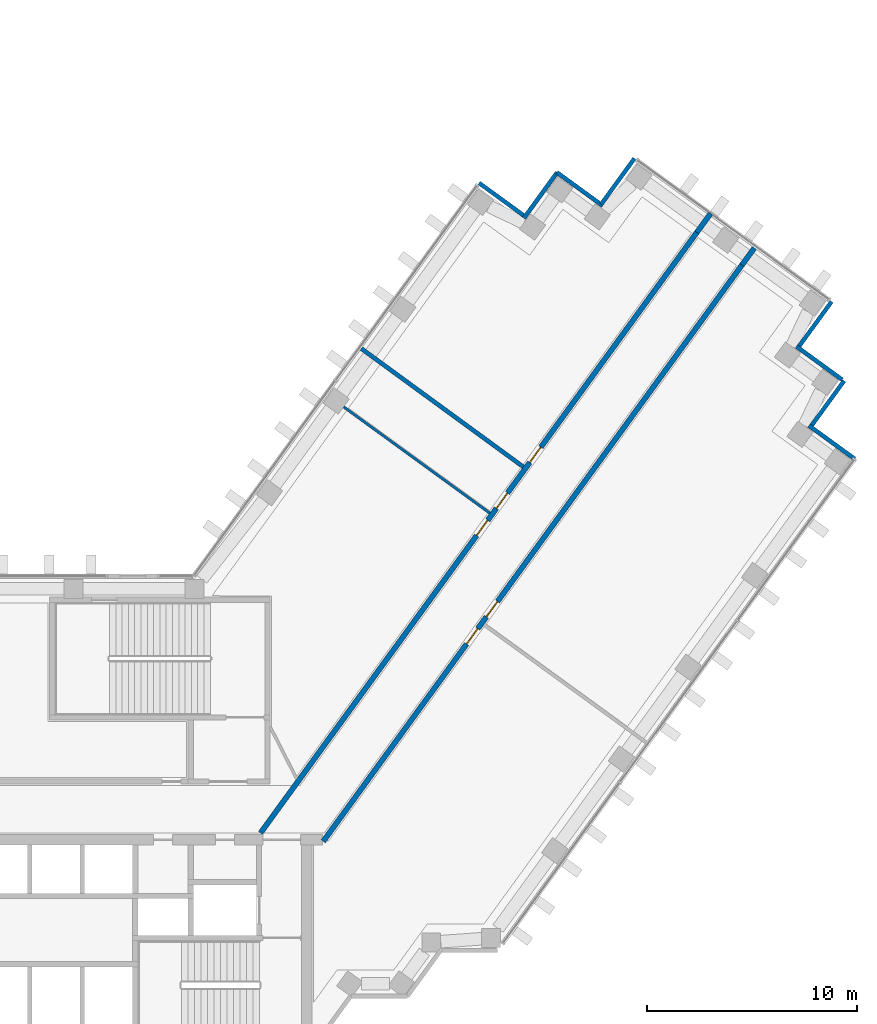
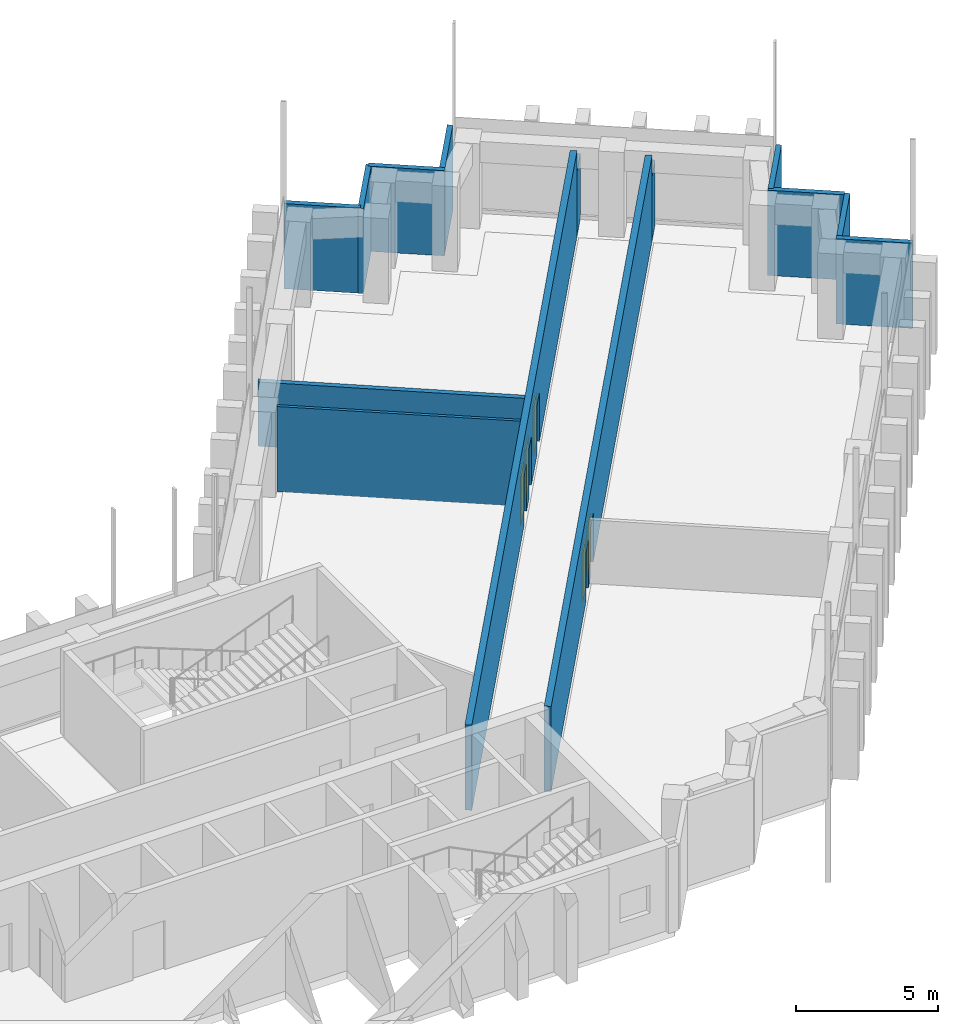
# One storey, part 13 of 16: 14 walls, 5 doors, 5 openings.
"""IFC4 building model written with IfcOpenShell, lengths in metres."""

import ifcopenshell
import ifcopenshell.guid

model = None  # the IFC model being written
_history = None  # IfcOwnerHistory: only IFC2X3 demands one
_inside = {}  # id of a spatial element -> (the spatial element, [elements in it])
_under = {}  # id of a project, library or spatial element -> (it, [spatial elements below it])
_declared = {}  # id of a project -> (the project, [libraries it declares])
_typed = {}  # id of a type object -> (the type object, [elements of that type])
_made_of = {}  # id of a material, layer set ... -> (it, [elements and type objects made of it])


def new_model(schema):
    """Start an empty IFC model of exactly this schema.

    Asked for "IFC4X3", IfcOpenShell would pick the latest addendum, in which some entities
    have other attributes; the version numbers below select the first issue.
    IFC2X3 requires an IfcOwnerHistory on every rooted entity: one is made here for all.
    """
    global model, _history
    if schema == "IFC4X3":
        model = ifcopenshell.file(schema_version=(4, 3, 0, 0))
    else:
        model = ifcopenshell.file(schema=schema)
    _inside.clear()
    _under.clear()
    _declared.clear()
    _typed.clear()
    _made_of.clear()
    _history = None
    if model.schema == "IFC2X3":
        org = make("IfcOrganization", Name="unknown")
        user = make(
            "IfcPersonAndOrganization",
            ThePerson=make("IfcPerson", FamilyName="unknown"),
            TheOrganization=org,
        )
        app = make(
            "IfcApplication",
            ApplicationDeveloper=org,
            Version="unknown",
            ApplicationFullName="unknown",
            ApplicationIdentifier="unknown",
        )
        _history = make(
            "IfcOwnerHistory",
            OwningUser=user,
            OwningApplication=app,
            ChangeAction="ADDED",
            CreationDate=0,
        )
    return model


def make(cls, **values):
    """One entity of the class cls with the attributes given. An attribute that is None is left unset."""
    return model.create_entity(
        cls, **{name: value for name, value in values.items() if value is not None}
    )


def rooted(cls, **values):
    """An entity with a GlobalId (a new one), such as an element, a storey or a relation."""
    return make(cls, GlobalId=ifcopenshell.guid.new(), OwnerHistory=_history, **values)


def si_unit(unit_type, name, prefix=None):
    """IfcSIUnit, for example si_unit("LENGTHUNIT", "METRE", prefix="MILLI")."""
    return make("IfcSIUnit", UnitType=unit_type, Prefix=prefix, Name=name)


def assignment(units):
    """IfcUnitAssignment: the units of a project."""
    return None if units is None else make("IfcUnitAssignment", Units=units)


def point(xyz):
    """IfcCartesianPoint."""
    return None if xyz is None else make("IfcCartesianPoint", Coordinates=xyz)


def direction(xyz):
    """IfcDirection."""
    return None if xyz is None else make("IfcDirection", DirectionRatios=xyz)


def frame(location, z_axis=None, x_axis=None):
    """IfcAxis2Placement3D, a coordinate frame: its origin and axes. An axis left out is left unset."""
    return make(
        "IfcAxis2Placement3D",
        Location=point(location),
        Axis=direction(z_axis),
        RefDirection=direction(x_axis),
    )


def frame_2d(location, x_axis=None):
    """IfcAxis2Placement2D, a coordinate frame in the plane: its origin and x axis."""
    return make(
        "IfcAxis2Placement2D", Location=point(location), RefDirection=direction(x_axis)
    )


def origin():
    """The frame at (0, 0, 0) with its axes left unset."""
    return frame((0.0, 0.0, 0.0))


def place(relative_to, where):
    """IfcLocalPlacement: puts the frame where relative to a parent placement (None: the world)."""
    return make(
        "IfcLocalPlacement", PlacementRelTo=relative_to, RelativePlacement=where
    )


def context(
    kind, dimensions, precision=None, world=None, true_north=None, identifier=None
):
    """IfcGeometricRepresentationContext, for example the 3D "Model" context."""
    return make(
        "IfcGeometricRepresentationContext",
        ContextIdentifier=identifier,
        ContextType=kind,
        CoordinateSpaceDimension=dimensions,
        Precision=precision,
        WorldCoordinateSystem=world,
        TrueNorth=true_north,
    )


def subcontext(parent, identifier, kind, view, scale=None):
    """IfcGeometricRepresentationSubContext, for example "Body" below "Model"."""
    return make(
        "IfcGeometricRepresentationSubContext",
        ContextIdentifier=identifier,
        ContextType=kind,
        ParentContext=parent,
        TargetScale=scale,
        TargetView=view,
    )


def project(units=None, contexts=None):
    """IfcProject with its units and contexts."""
    return rooted(
        "IfcProject",
        Name="project",
        RepresentationContexts=contexts,
        UnitsInContext=assignment(units),
    )


def spatial(cls, under=None, at=None, **own):
    """A site, building, storey or space (cls), placed at a placement, below another one or the project."""
    s = rooted(cls, ObjectPlacement=at, **own)
    if under is not None:
        _under.setdefault(under.id(), (under, []))[1].append(s)
    return s


def profile(cls, at=None, kind="AREA", **sizes):
    """A parametric profile (cls). Its sizes go by their IFC names, for example OverallWidth=200.0."""
    return make(cls, ProfileType=kind, Position=at, **sizes)


def rectangle(**sizes):
    """IfcRectangleProfileDef."""
    return profile("IfcRectangleProfileDef", **sizes)


def extrude(swept, where, along, depth):
    """IfcExtrudedAreaSolid: the profile swept, set in the frame where, extruded along a direction by depth."""
    return make(
        "IfcExtrudedAreaSolid",
        SweptArea=swept,
        Position=where,
        ExtrudedDirection=direction(along),
        Depth=depth,
    )


def shape(context_of_items, identifier, shape_type, items):
    """IfcShapeRepresentation: the items that make up one representation, for example the "Body"."""
    return make(
        "IfcShapeRepresentation",
        ContextOfItems=context_of_items,
        RepresentationIdentifier=identifier,
        RepresentationType=shape_type,
        Items=items,
    )


def material(Name=None, Category=None):
    """IfcMaterial."""
    return make("IfcMaterial", Name=Name, Category=Category)


def layer(
    of_material, thickness, ventilated=None, Name=None, Category=None, Priority=None
):
    """IfcMaterialLayer: one layer of a wall or slab, of a material (None: an air gap)."""
    return make(
        "IfcMaterialLayer",
        Material=of_material,
        LayerThickness=thickness,
        IsVentilated=ventilated,
        Name=Name,
        Category=Category,
        Priority=Priority,
    )


def layer_set(layers, Name=None):
    """IfcMaterialLayerSet."""
    return make("IfcMaterialLayerSet", MaterialLayers=layers, LayerSetName=Name)


def made_of(thing, what):
    """Note that an element or type object is made of a material, layer set ...; save() writes the relation."""
    if what is not None:
        _made_of.setdefault(what.id(), (what, []))[1].append(thing)
    return thing


def type_object(cls, material=None, **own):
    """A type object (cls), such as IfcWallType, which elements share."""
    return made_of(rooted(cls, **own), material)


def element(
    cls,
    number,
    at=None,
    inside=None,
    cuts=None,
    type_object=None,
    material=None,
    context=None,
    identifier="Body",
    shape_type=None,
    held_by="IfcProductDefinitionShape",
    body=None,
    shapes=None,
    **own,
):
    """One element of the class cls, such as IfcWall. Its Tag is "e" and its number.

    at: its placement. inside: the storey or other place that contains it. cuts: it is an
    opening in that element (IfcRelVoidsElement). A single representation is given by context,
    identifier, shape_type and body (its items); several are given by shapes. held_by: the class
    of the entity that holds the representations. save() writes the other relations.
    """
    e = rooted(cls, Tag="e%d" % number, ObjectPlacement=at, **own)
    if body is not None:
        shapes = [shape(context, identifier, shape_type, body)]
    if shapes is not None:
        e.Representation = make(held_by, Representations=shapes)
    if inside is not None:
        _inside.setdefault(inside.id(), (inside, []))[1].append(e)
    if cuts is not None:
        rooted(
            "IfcRelVoidsElement", RelatingBuildingElement=cuts, RelatedOpeningElement=e
        )
    if type_object is not None:
        _typed.setdefault(type_object.id(), (type_object, []))[1].append(e)
    return made_of(e, material)


def fill(opening, filler):
    """IfcRelFillsElement: the door or window that sits in an opening."""
    return rooted(
        "IfcRelFillsElement",
        RelatingOpeningElement=opening,
        RelatedBuildingElement=filler,
    )


def aggregate(whole, parts):
    """IfcRelAggregates: a whole, such as a stair, and the parts it consists of."""
    return rooted("IfcRelAggregates", RelatingObject=whole, RelatedObjects=parts)


def save(model, path):
    """Write the relations noted so far, then the file.

    IfcRelAggregates (storeys below a building ...), IfcRelContainedInSpatialStructure (elements
    in a storey), IfcRelDefinesByType, IfcRelAssociatesMaterial and IfcRelDeclares: one each for
    every whole, place, type object, material and project.
    """
    for whole, parts in _under.values():
        aggregate(whole, parts)
    for where, things in _inside.values():
        rooted(
            "IfcRelContainedInSpatialStructure",
            RelatedElements=things,
            RelatingStructure=where,
        )
    for kind, things in _typed.values():
        rooted("IfcRelDefinesByType", RelatedObjects=things, RelatingType=kind)
    for what, things in _made_of.values():
        rooted("IfcRelAssociatesMaterial", RelatedObjects=things, RelatingMaterial=what)
    for by, libraries in _declared.values():
        rooted("IfcRelDeclares", RelatingContext=by, RelatedDefinitions=libraries)
    model.write(path)


model = new_model("IFC4")

# Units and contexts
model_context = context("Model", 3, precision=1e-05, world=origin(), true_north=direction((0.0, 1.0)))
body_context = subcontext(model_context, "Body", "Model", "MODEL_VIEW")
ifc_project = project(units=[si_unit("LENGTHUNIT", "METRE"), si_unit("AREAUNIT", "SQUARE_METRE"), si_unit("VOLUMEUNIT", "CUBIC_METRE"), si_unit("PLANEANGLEUNIT", "RADIAN"), si_unit("MASSUNIT", "GRAM", prefix="KILO")], contexts=[model_context])

# Site, building, storey
site_placement = place(None, origin())
site = spatial("IfcSite", under=ifc_project, at=site_placement, CompositionType="ELEMENT")
building_placement = place(site_placement, origin())
building = spatial("IfcBuilding", under=site, at=building_placement, Name="Quipu Civic Tower", CompositionType="ELEMENT")
storey_placement = place(building_placement, frame((0.0, 0.0, 113.0)))
storey = spatial("IfcBuildingStorey", under=building, at=storey_placement, Name="L26", CompositionType="ELEMENT", Elevation=113.0)

# Wall
ifc_material_1 = material(Name="Fired clay blockwork", Category="masonry")
ifc_layer_1 = layer(ifc_material_1, 0.199951171875)
ifc_layer_set_1 = layer_set([ifc_layer_1], Name="Fired clay blockwork")
wall_type_1 = type_object("IfcWallType", Name="Blockwork wall 200", PredefinedType="SOLIDWALL", material=ifc_layer_set_1)
wall_1_placement = place(storey_placement, frame((22.343505859375, 21.939697265625, 0.0), z_axis=(0.0, 0.0, 1.0), x_axis=(0.807610282865, -0.589716568371, 0.0)))
element("IfcWall", 1, at=wall_1_placement, inside=storey, type_object=wall_type_1, Name="Partition P07", PredefinedType="SOLIDWALL", context=body_context, shape_type="SweptSolid", body=[
    extrude(rectangle(XDim=9.549560546875, YDim=0.199951171875, at=frame_2d((4.77490234375, 0.0))), origin(), (0.0, 0.0, 1.0), 2.75),
])

# Wall, openings, doors
ifc_material_2 = material(Name="Concrete C50/60", Category="concrete")
ifc_layer_2 = layer(ifc_material_2, 0.25)
ifc_layer_set_2 = layer_set([ifc_layer_2], Name="Concrete C50/60")
wall_type_2 = type_object("IfcWallType", Name="Corridor wall 250 concrete", PredefinedType="SOLIDWALL", material=ifc_layer_set_2)
wall_2_placement = place(storey_placement, frame((40.46337890625, 25.911376953125, 0.0), z_axis=(0.0, 0.0, 1.0), x_axis=(-0.587781654618, -0.809019608226, 0.0)))
wall_2 = element("IfcWall", 2, at=wall_2_placement, inside=storey, type_object=wall_type_2, Name="Corridor wall C01", PredefinedType="SOLIDWALL", context=body_context, shape_type="SweptSolid", body=[
    extrude(rectangle(XDim=33.9111328125, YDim=0.25, at=frame_2d((16.95556640625, 0.0))), origin(), (0.0, 0.0, 1.0), 3.64990234375),
])
opening_1_placement = place(wall_2_placement, frame((21.39599609375, 0.0, 0.0)))
opening_1 = element("IfcOpeningElement", 3, at=opening_1_placement, cuts=wall_2, Name="Opening D004", PredefinedType="OPENING", context=body_context, shape_type="SweptSolid", body=[
    extrude(rectangle(XDim=0.89990234375, YDim=2.10009765625, at=frame_2d((0.449951171875, 1.050048828125))), frame((0.0, 0.135009765625, 0.0), z_axis=(0.0, -1.0, 0.0), x_axis=(1.0, 0.0, 0.0)), (0.0, 0.0, 1.0), 0.27001953125),
])
opening_2_placement = place(wall_2_placement, frame((19.795166015625, 0.0, 0.0)))
opening_2 = element("IfcOpeningElement", 4, at=opening_2_placement, cuts=wall_2, Name="Opening D005", PredefinedType="OPENING", context=body_context, shape_type="SweptSolid", body=[
    extrude(rectangle(XDim=0.89990234375, YDim=2.10009765625, at=frame_2d((0.449951171875, 1.050048828125))), frame((0.0, 0.135009765625, 0.0), z_axis=(0.0, -1.0, 0.0), x_axis=(1.0, 0.0, 0.0)), (0.0, 0.0, 1.0), 0.27001953125),
])
ifc_material_3 = material(Name="Fire rated timber door set with metal frame", Category="wood")
door_type = type_object("IfcDoorType", Name="Single door 900 x 2100 FD60", OperationType="NOTDEFINED", PredefinedType="DOOR", material=ifc_material_3)
door_1_placement = place(opening_1_placement, origin())
door_1 = element("IfcDoor", 5, at=door_1_placement, inside=storey, type_object=door_type, Name="Door D004", OperationType="SINGLE_SWING_LEFT", OverallHeight=2.10009765625, OverallWidth=0.89990234375, PredefinedType="DOOR", context=body_context, shape_type="SweptSolid", body=[
    extrude(rectangle(XDim=0.89990234375, YDim=2.10009765625, at=frame_2d((0.449951171875, 1.050048828125))), frame((0.0, 0.02490234375, 0.0), z_axis=(0.0, -1.0, 0.0), x_axis=(1.0, 0.0, 0.0)), (0.0, 0.0, 1.0), 0.050048828125),
])
fill(opening_1, door_1)
door_2_placement = place(opening_2_placement, origin())
door_2 = element("IfcDoor", 6, at=door_2_placement, inside=storey, type_object=door_type, Name="Door D005", OperationType="SINGLE_SWING_RIGHT", OverallHeight=2.10009765625, OverallWidth=0.89990234375, PredefinedType="DOOR", context=body_context, shape_type="SweptSolid", body=[
    extrude(rectangle(XDim=0.89990234375, YDim=2.10009765625, at=frame_2d((0.449951171875, 1.050048828125))), frame((0.0, 0.02490234375, 0.0), z_axis=(0.0, -1.0, 0.0), x_axis=(1.0, 0.0, 0.0)), (0.0, 0.0, 1.0), 0.050048828125),
])
fill(opening_2, door_2)

wall_3_placement = place(storey_placement, frame((17.544921875, -1.124755859375, 0.0), z_axis=(0.0, 0.0, 1.0), x_axis=(0.587788021768, 0.809014982226, 0.0)))
wall_3 = element("IfcWall", 7, at=wall_3_placement, inside=storey, type_object=wall_type_2, Name="Corridor wall C06", PredefinedType="SOLIDWALL", context=body_context, shape_type="SweptSolid", body=[
    extrude(rectangle(XDim=35.34423828125, YDim=0.25, at=frame_2d((17.672119140625, 0.0))), origin(), (0.0, 0.0, 1.0), 3.64990234375),
])
opening_3_placement = place(wall_3_placement, frame((17.5078125, 0.0, 0.0)))
opening_3 = element("IfcOpeningElement", 8, at=opening_3_placement, cuts=wall_3, Name="Opening D001", PredefinedType="OPENING", context=body_context, shape_type="SweptSolid", body=[
    extrude(rectangle(XDim=0.89990234375, YDim=2.10009765625, at=frame_2d((0.449951171875, 1.050048828125))), frame((0.0, 0.135009765625, 0.0), z_axis=(0.0, -1.0, 0.0), x_axis=(1.0, 0.0, 0.0)), (0.0, 0.0, 1.0), 0.27001953125),
])
opening_4_placement = place(wall_3_placement, frame((21.80810546875, 0.0, 0.0)))
opening_4 = element("IfcOpeningElement", 9, at=opening_4_placement, cuts=wall_3, Name="Opening D003", PredefinedType="OPENING", context=body_context, shape_type="SweptSolid", body=[
    extrude(rectangle(XDim=0.89990234375, YDim=2.10009765625, at=frame_2d((0.449951171875, 1.050048828125))), frame((0.0, 0.135009765625, 0.0), z_axis=(0.0, -1.0, 0.0), x_axis=(1.0, 0.0, 0.0)), (0.0, 0.0, 1.0), 0.27001953125),
])
opening_5_placement = place(wall_3_placement, frame((19.107666015625, 0.0, 0.0)))
opening_5 = element("IfcOpeningElement", 10, at=opening_5_placement, cuts=wall_3, Name="Opening D002", PredefinedType="OPENING", context=body_context, shape_type="SweptSolid", body=[
    extrude(rectangle(XDim=0.89990234375, YDim=2.10009765625, at=frame_2d((0.449951171875, 1.050048828125))), frame((0.0, 0.135009765625, 0.0), z_axis=(0.0, -1.0, 0.0), x_axis=(1.0, 0.0, 0.0)), (0.0, 0.0, 1.0), 0.27001953125),
])
door_3_placement = place(opening_3_placement, origin())
door_3 = element("IfcDoor", 11, at=door_3_placement, inside=storey, type_object=door_type, Name="Door D001", OperationType="SINGLE_SWING_RIGHT", OverallHeight=2.10009765625, OverallWidth=0.89990234375, PredefinedType="DOOR", context=body_context, shape_type="SweptSolid", body=[
    extrude(rectangle(XDim=0.89990234375, YDim=2.10009765625, at=frame_2d((0.449951171875, 1.050048828125))), frame((0.0, 0.02490234375, 0.0), z_axis=(0.0, -1.0, 0.0), x_axis=(1.0, 0.0, 0.0)), (0.0, 0.0, 1.0), 0.050048828125),
])
fill(opening_3, door_3)
door_4_placement = place(opening_4_placement, origin())
door_4 = element("IfcDoor", 12, at=door_4_placement, inside=storey, type_object=door_type, Name="Door D003", OperationType="SINGLE_SWING_LEFT", OverallHeight=2.10009765625, OverallWidth=0.89990234375, PredefinedType="DOOR", context=body_context, shape_type="SweptSolid", body=[
    extrude(rectangle(XDim=0.89990234375, YDim=2.10009765625, at=frame_2d((0.449951171875, 1.050048828125))), frame((0.0, 0.02490234375, 0.0), z_axis=(0.0, -1.0, 0.0), x_axis=(1.0, 0.0, 0.0)), (0.0, 0.0, 1.0), 0.050048828125),
])
fill(opening_4, door_4)
door_5_placement = place(opening_5_placement, origin())
door_5 = element("IfcDoor", 13, at=door_5_placement, inside=storey, type_object=door_type, Name="Door D002", OperationType="SINGLE_SWING_LEFT", OverallHeight=2.10009765625, OverallWidth=0.89990234375, PredefinedType="DOOR", context=body_context, shape_type="SweptSolid", body=[
    extrude(rectangle(XDim=0.89990234375, YDim=2.10009765625, at=frame_2d((0.449951171875, 1.050048828125))), frame((0.0, 0.02490234375, 0.0), z_axis=(0.0, -1.0, 0.0), x_axis=(1.0, 0.0, 0.0)), (0.0, 0.0, 1.0), 0.050048828125),
])
fill(opening_5, door_5)

# Walls
wall_4_placement = place(storey_placement, frame((40.46337890625, 25.911376953125, 0.0), z_axis=(0.0, 0.0, 1.0), x_axis=(0.587855200732, 0.808966169238, 0.0)))
element("IfcWall", 14, at=wall_4_placement, inside=storey, type_object=wall_type_2, Name="Corridor wall C01", PredefinedType="SOLIDWALL", context=body_context, shape_type="SweptSolid", body=[
    extrude(rectangle(XDim=1.00927734375, YDim=0.25, at=frame_2d((0.504638671875, 0.0))), origin(), (0.0, 0.0, 1.0), 2.75),
])
wall_5_placement = place(storey_placement, frame((38.31982421875, 27.46923828125, 0.0), z_axis=(0.0, 0.0, 1.0), x_axis=(0.587753086208, 0.809040363426, 0.0)))
element("IfcWall", 15, at=wall_5_placement, inside=storey, type_object=wall_type_2, Name="Corridor wall C06", PredefinedType="SOLIDWALL", context=body_context, shape_type="SweptSolid", body=[
    extrude(rectangle(XDim=1.10986328125, YDim=0.25, at=frame_2d((0.554931640625, 0.0))), origin(), (0.0, 0.0, 1.0), 2.75),
])
ifc_material_4 = material(Name="Gypsum plasterboard on light gauge framing")
ifc_layer_3 = layer(ifc_material_4, 0.1201171875)
ifc_layer_set_3 = layer_set([ifc_layer_3], Name="Gypsum plasterboard on light gauge framing")
wall_type_3 = type_object("IfcWallType", Name="Partition 120 plasterboard", PredefinedType="PARTITIONING", material=ifc_layer_set_3)
wall_6_placement = place(storey_placement, frame((28.457275390625, 14.10791015625, 0.0), z_axis=(0.0, 0.0, 1.0), x_axis=(-0.808998863664, 0.587810206266, 0.0)))
element("IfcWall", 16, at=wall_6_placement, inside=storey, type_object=wall_type_3, Name="Partition P01", PredefinedType="PARTITIONING", context=body_context, shape_type="SweptSolid", body=[
    extrude(rectangle(XDim=8.594970703125, YDim=0.1201171875, at=frame_2d((4.29736328125, 0.0))), origin(), (0.0, 0.0, 1.0), 3.64990234375),
])
ifc_material_5 = material(Name="Precast concrete C40/50", Category="concrete")
wall_type_4 = type_object("IfcWallType", Name="Precast cladding wall", PredefinedType="SOLIDWALL", material=ifc_material_5)
for number, where, z_axis, x_axis, name in (
    (17, (45.84228515625, 16.6845703125, 0.0), (0.0, 0.0, 1.0), (-0.808958916286, 0.58786518162, 0.0), "Precast cladding wall L26 P01"),
    (18, (43.74609375, 18.22265625, 0.0), (0.0, 0.0, 1.0), (0.587762999008, 0.809033161865, 0.0), "Precast cladding wall L26 P02"),
    (19, (45.2451171875, 20.4560546875, 0.0), (0.0, 0.0, 1.0), (-0.809033161865, 0.587762999008, 0.0), "Precast cladding wall L26 P03"),
    (20, (43.148681640625, 21.993896484375, 0.0), (0.0, 0.0, 1.0), (0.587822180636, 0.808990163075, 0.0), "Precast cladding wall L26 P28"),
    (21, (35.351318359375, 30.99658203125, 0.0), (0.0, 0.0, 1.0), (-0.587822180636, -0.808990163075, 0.0), "Precast cladding wall L26 P30"),
    (22, (33.837890625, 28.743896484375, 0.0), (0.0, 0.0, 1.0), (-0.809033161865, 0.587762999008, 0.0), "Precast cladding wall L26 P31"),
    (23, (31.67041015625, 30.33349609375, 0.0), (0.0, 0.0, 1.0), (-0.587762999008, -0.809033161865, 0.0), "Precast cladding wall L26 P32"),
    (24, (30.132568359375, 28.237060546875, 0.0), (0.0, 0.0, 1.0), (-0.808990163075, 0.587822180636, 0.0), "Precast cladding wall L26 P33"),
):
    element("IfcWall", number, at=place(storey_placement, frame(where, z_axis=z_axis, x_axis=x_axis)), inside=storey, type_object=wall_type_4, Name=name, PredefinedType="SOLIDWALL", context=body_context, shape_type="SweptSolid", body=[
        extrude(rectangle(XDim=2.699951171875, YDim=0.199951171875, at=frame_2d((1.35009765625, 0.0))), origin(), (0.0, 0.0, 1.0), 3.64990234375),
    ])

save(model, "model.ifc")
